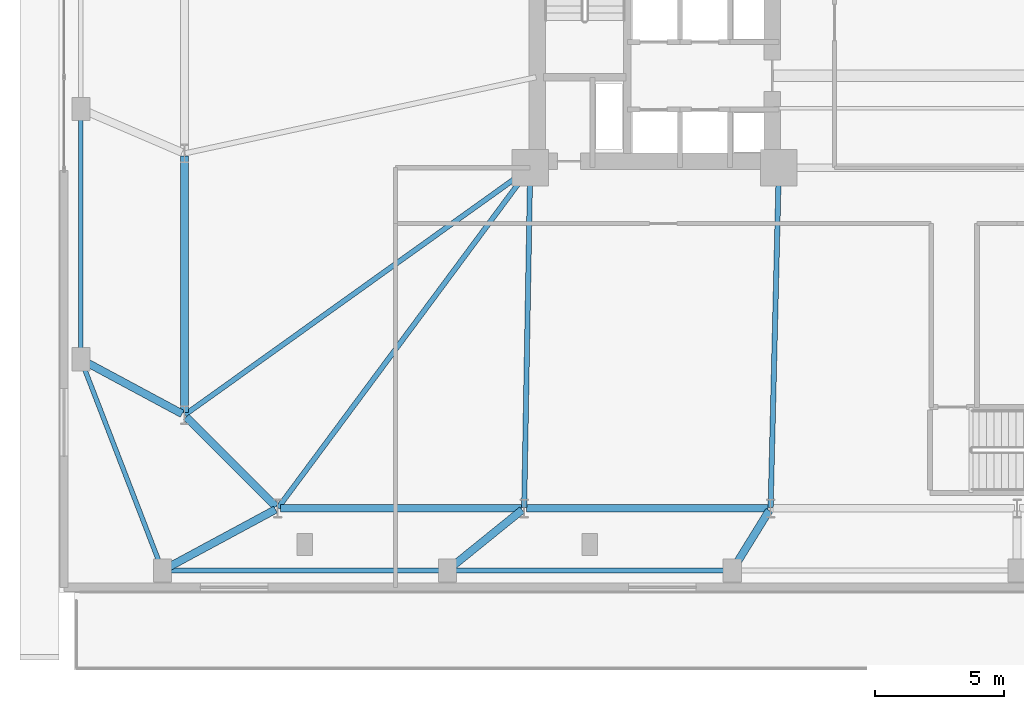
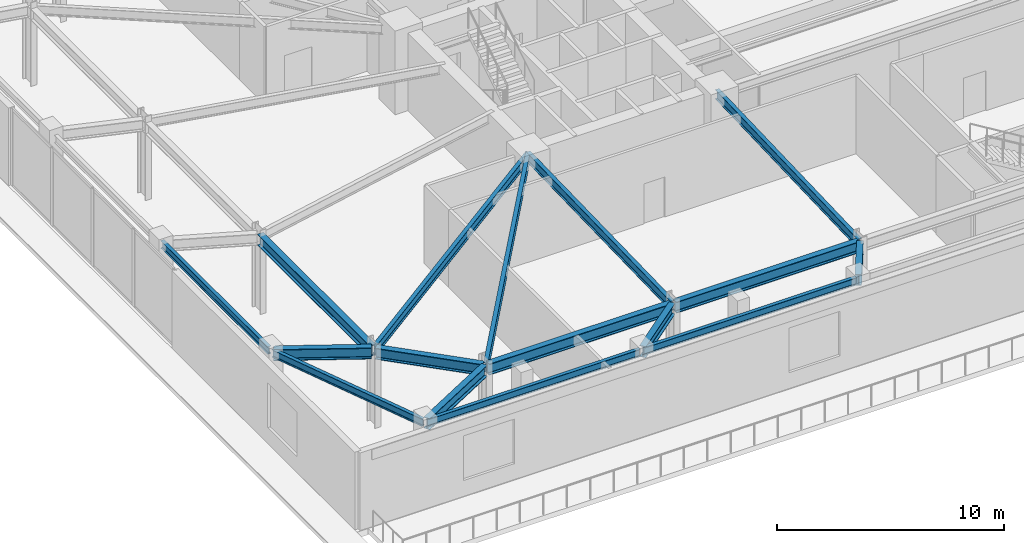
# One storey, part 4 of 21: 16 beams.
"""IFC4 building model written with IfcOpenShell, lengths in metres."""

from ifc_helpers import new_model, si_unit, direction, frame, origin, origin_2d, place, context, subcontext, project, spatial, i_section, extrude, material, material_profile, profile_set, type_object, element, save


model = new_model("IFC4")

# Units and contexts
model_context = context("Model", 3, precision=1e-05, world=origin(), true_north=direction((0.0, 1.0)))
body_context = subcontext(model_context, "Body", "Model", "MODEL_VIEW")
ifc_project = project(units=[si_unit("LENGTHUNIT", "METRE"), si_unit("AREAUNIT", "SQUARE_METRE"), si_unit("VOLUMEUNIT", "CUBIC_METRE"), si_unit("PLANEANGLEUNIT", "RADIAN"), si_unit("MASSUNIT", "GRAM", prefix="KILO")], contexts=[model_context])

# Site, building, storey
site_placement = place(None, origin())
site = spatial("IfcSite", under=ifc_project, at=site_placement, CompositionType="ELEMENT")
building_placement = place(site_placement, origin())
building = spatial("IfcBuilding", under=site, at=building_placement, Name="Qobustan Lattice House", CompositionType="ELEMENT")
storey_placement = place(building_placement, frame((0.0, 0.0, 13.5)))
storey = spatial("IfcBuildingStorey", under=building, at=storey_placement, Name="L03", CompositionType="ELEMENT", Elevation=13.5)

# Beams
ifc_material_1 = material(Name="Steel S355", Category="steel")
ifc_material_profile_1 = material_profile(ifc_material_1, i_section(OverallWidth=0.199951171875, OverallDepth=0.5, WebThickness=0.01025390625, FlangeThickness=0.01611328125, FilletRadius=0.02099609375, at=origin_2d()), Name="IPE500")
ifc_profile_set_1 = profile_set([ifc_material_profile_1], Name="Steel S355")
beam_type_1 = type_object("IfcBeamType", Name="BM-FLG-IPE500", PredefinedType="USERDEFINED", material=ifc_profile_set_1)
beam_1_placement = place(storey_placement, frame((-28.53515625, -18.72998046875, 3.919921875), z_axis=(0.5955916815, 0.803287338956, 0.0), x_axis=(-0.803287338956, 0.5955916815, 0.0)))
element("IfcBeam", 1, at=beam_1_placement, inside=storey, type_object=beam_type_1, Name="L03 primary floor girder RAD-S1W", ObjectType="GIRDER", PredefinedType="USERDEFINED", context=body_context, shape_type="SweptSolid", body=[
    extrude(i_section(OverallWidth=0.199951171875, OverallDepth=0.5, WebThickness=0.01025390625, FlangeThickness=0.01611328125, FilletRadius=0.02099609375, at=origin_2d()), origin(), (0.0, 0.0, 1.0), 16.3203125),
])
beam_2_placement = place(storey_placement, frame((-19.032958984375, -18.72509765625, 3.919921875), z_axis=(0.017757831607, 0.999842317276, 0.0), x_axis=(-0.999842317276, 0.017757831607, 0.0)))
element("IfcBeam", 2, at=beam_2_placement, inside=storey, type_object=beam_type_1, Name="L03 primary floor girder RAD-S2", ObjectType="GIRDER", PredefinedType="USERDEFINED", context=body_context, shape_type="SweptSolid", body=[
    extrude(i_section(OverallWidth=0.199951171875, OverallDepth=0.5, WebThickness=0.01025390625, FlangeThickness=0.01611328125, FilletRadius=0.02099609375, at=origin_2d()), origin(), (0.0, 0.0, 1.0), 13.10205078125),
])
beam_3_placement = place(storey_placement, frame((-9.51611328125, -18.72509765625, 3.919921875), z_axis=(0.024071445657, 0.999710240772, 0.0), x_axis=(-0.999710240772, 0.024071445657, 0.0)))
element("IfcBeam", 3, at=beam_3_placement, inside=storey, type_object=beam_type_1, Name="L03 primary floor girder RAD-S3", ObjectType="GIRDER", PredefinedType="USERDEFINED", context=body_context, shape_type="SweptSolid", body=[
    extrude(i_section(OverallWidth=0.199951171875, OverallDepth=0.5, WebThickness=0.01025390625, FlangeThickness=0.01611328125, FilletRadius=0.02099609375, at=origin_2d()), origin(), (0.0, 0.0, 1.0), 13.10400390625),
])
beam_4_placement = place(storey_placement, frame((-32.129638671875, -15.135498046875, 3.919921875), z_axis=(0.813318954893, 0.581818079481, 0.0), x_axis=(-0.581818079481, 0.813318954893, 0.0)))
element("IfcBeam", 4, at=beam_4_placement, inside=storey, type_object=beam_type_1, Name="L03 primary floor girder RAD-W4", ObjectType="GIRDER", PredefinedType="USERDEFINED", context=body_context, shape_type="SweptSolid", body=[
    extrude(i_section(OverallWidth=0.199951171875, OverallDepth=0.5, WebThickness=0.01025390625, FlangeThickness=0.01611328125, FilletRadius=0.02099609375, at=origin_2d()), origin(), (0.0, 0.0, 1.0), 16.3642578125),
])
ifc_material_2 = material(Name="Steel S355", Category="steel")
ifc_material_profile_2 = material_profile(ifc_material_2, i_section(OverallWidth=0.300048828125, OverallDepth=0.60009765625, WebThickness=0.015380859375, FlangeThickness=0.030029296875, FilletRadius=0.027099609375, at=origin_2d()), Name="HEB600")
ifc_profile_set_2 = profile_set([ifc_material_profile_2], Name="Steel S355")
beam_type_2 = type_object("IfcBeamType", Name="BM-POD-HEB600", PredefinedType="USERDEFINED", material=ifc_profile_set_2)
for number, where, z_axis, x_axis, name in (
    (5, (-28.449951171875, -18.75, 3.8701171875), (1.0, 0.0, 0.0), (0.0, 1.0, 0.0), "L03 tower base ring girder S1-S2"),
    (6, (-18.933349609375, -18.75, 3.8701171875), (1.0, 0.0, 0.0), (0.0, 1.0, 0.0), "L03 tower base ring girder S2-S3"),
):
    element("IfcBeam", number, at=place(storey_placement, frame(where, z_axis=z_axis, x_axis=x_axis)), inside=storey, type_object=beam_type_2, Name=name, ObjectType="GIRDER", PredefinedType="USERDEFINED", context=body_context, shape_type="SweptSolid", body=[
        extrude(i_section(OverallWidth=0.300048828125, OverallDepth=0.60009765625, WebThickness=0.015380859375, FlangeThickness=0.030029296875, FilletRadius=0.027099609375, at=origin_2d()), origin(), (0.0, 0.0, 1.0), 9.316650390625),
    ])
beam_5_placement = place(storey_placement, frame((-32.14990234375, -5.14990234375, 3.8701171875), z_axis=(0.0, -1.0, 0.0), x_axis=(1.0, 0.0, 0.0)))
element("IfcBeam", 7, at=beam_5_placement, inside=storey, type_object=beam_type_2, Name="L03 tower base ring girder W3-W4", ObjectType="GIRDER", PredefinedType="USERDEFINED", context=body_context, shape_type="SweptSolid", body=[
    extrude(i_section(OverallWidth=0.300048828125, OverallDepth=0.60009765625, WebThickness=0.015380859375, FlangeThickness=0.030029296875, FilletRadius=0.027099609375, at=origin_2d()), origin(), (0.0, 0.0, 1.0), 9.900146484375),
])
beam_6_placement = place(storey_placement, frame((-32.079345703125, -15.220703125, 3.8701171875), z_axis=(0.70713173775, -0.707081823743, 0.0), x_axis=(0.707081823743, 0.70713173775, 0.0)))
element("IfcBeam", 8, at=beam_6_placement, inside=storey, type_object=beam_type_2, Name="L03 tower base ring girder W4-S1", ObjectType="GIRDER", PredefinedType="USERDEFINED", context=body_context, shape_type="SweptSolid", body=[
    extrude(i_section(OverallWidth=0.300048828125, OverallDepth=0.60009765625, WebThickness=0.015380859375, FlangeThickness=0.030029296875, FilletRadius=0.027099609375, at=origin_2d()), origin(), (0.0, 0.0, 1.0), 4.89111328125),
])
beam_7_placement = place(storey_placement, frame((-32.894287109375, -21.093017578125, 3.8701171875), z_axis=(0.88016615165, 0.474665719732, 0.0), x_axis=(-0.474665719732, 0.88016615165, 0.0)))
element("IfcBeam", 9, at=beam_7_placement, inside=storey, type_object=beam_type_2, Name="L03 podium radial girder PS1", ObjectType="GIRDER", PredefinedType="USERDEFINED", context=body_context, shape_type="SweptSolid", body=[
    extrude(i_section(OverallWidth=0.300048828125, OverallDepth=0.60009765625, WebThickness=0.015380859375, FlangeThickness=0.030029296875, FilletRadius=0.027099609375, at=origin_2d()), origin(), (0.0, 0.0, 1.0), 4.8359375),
])
beam_8_placement = place(storey_placement, frame((-21.90673828125, -21.074462890625, 3.8701171875), z_axis=(0.777472502595, 0.62891693228, 0.0), x_axis=(-0.62891693228, 0.777472502595, 0.0)))
element("IfcBeam", 10, at=beam_8_placement, inside=storey, type_object=beam_type_2, Name="L03 podium radial girder PS2", ObjectType="GIRDER", PredefinedType="USERDEFINED", context=body_context, shape_type="SweptSolid", body=[
    extrude(i_section(OverallWidth=0.300048828125, OverallDepth=0.60009765625, WebThickness=0.015380859375, FlangeThickness=0.030029296875, FilletRadius=0.027099609375, at=origin_2d()), origin(), (0.0, 0.0, 1.0), 3.595703125),
])
beam_9_placement = place(storey_placement, frame((-10.93701171875, -21.0478515625, 3.8701171875), z_axis=(0.525782588011, 0.850618992349, 0.0), x_axis=(-0.850618992349, 0.525782588011, 0.0)))
element("IfcBeam", 11, at=beam_9_placement, inside=storey, type_object=beam_type_2, Name="L03 podium radial girder PS3", ObjectType="GIRDER", PredefinedType="USERDEFINED", context=body_context, shape_type="SweptSolid", body=[
    extrude(i_section(OverallWidth=0.300048828125, OverallDepth=0.60009765625, WebThickness=0.015380859375, FlangeThickness=0.030029296875, FilletRadius=0.027099609375, at=origin_2d()), origin(), (0.0, 0.0, 1.0), 2.601318359375),
])
beam_10_placement = place(storey_placement, frame((-36.044189453125, -13.056884765625, 3.8701171875), z_axis=(0.880815561441, -0.473459551307, 0.0), x_axis=(0.473459551307, 0.880815561441, 0.0)))
element("IfcBeam", 12, at=beam_10_placement, inside=storey, type_object=beam_type_2, Name="L03 podium radial girder PW1", ObjectType="GIRDER", PredefinedType="USERDEFINED", context=body_context, shape_type="SweptSolid", body=[
    extrude(i_section(OverallWidth=0.300048828125, OverallDepth=0.60009765625, WebThickness=0.015380859375, FlangeThickness=0.030029296875, FilletRadius=0.027099609375, at=origin_2d()), origin(), (0.0, 0.0, 1.0), 4.3212890625),
])
ifc_material_3 = material(Name="Steel S355", Category="steel")
ifc_material_profile_3 = material_profile(ifc_material_3, i_section(OverallWidth=0.179931640625, OverallDepth=0.39990234375, WebThickness=0.008544921875, FlangeThickness=0.013427734375, FilletRadius=0.02099609375, at=origin_2d()), Name="IPE400")
ifc_profile_set_3 = profile_set([ifc_material_profile_3], Name="Steel S355")
beam_type_3 = type_object("IfcBeamType", Name="BM-SPD-IPE400", PredefinedType="SPANDREL", material=ifc_profile_set_3)
for number, where, z_axis, x_axis, name in (
    (13, (-32.8798828125, -21.14990234375, 3.969970703125), (1.0, 0.0, 0.0), (0.0, 1.0, 0.0), "L03 podium spandrel PS1-PS2"),
    (14, (-21.8798828125, -21.14990234375, 3.969970703125), (1.0, 0.0, 0.0), (0.0, 1.0, 0.0), "L03 podium spandrel PS2-PS3"),
):
    element("IfcBeam", number, at=place(storey_placement, frame(where, z_axis=z_axis, x_axis=x_axis)), inside=storey, type_object=beam_type_3, Name=name, PredefinedType="SPANDREL", context=body_context, shape_type="SweptSolid", body=[
        extrude(i_section(OverallWidth=0.179931640625, OverallDepth=0.39990234375, WebThickness=0.008544921875, FlangeThickness=0.013427734375, FilletRadius=0.02099609375, at=origin_2d()), origin(), (0.0, 0.0, 1.0), 10.759765625),
    ])
beam_11_placement = place(storey_placement, frame((-36.14990234375, -12.8798828125, 3.969970703125), z_axis=(0.0, 1.0, 0.0), x_axis=(-1.0, 0.0, 0.0)))
element("IfcBeam", 15, at=beam_11_placement, inside=storey, type_object=beam_type_3, Name="L03 podium spandrel PW1-PW2", PredefinedType="SPANDREL", context=body_context, shape_type="SweptSolid", body=[
    extrude(i_section(OverallWidth=0.179931640625, OverallDepth=0.39990234375, WebThickness=0.008544921875, FlangeThickness=0.013427734375, FilletRadius=0.02099609375, at=origin_2d()), origin(), (0.0, 0.0, 1.0), 9.426513671875),
])
beam_12_placement = place(storey_placement, frame((-33.043212890625, -21.0380859375, 3.969970703125), z_axis=(-0.360507225068, 0.93275642087, 0.0), x_axis=(-0.93275642087, -0.360507225068, 0.0)))
element("IfcBeam", 16, at=beam_12_placement, inside=storey, type_object=beam_type_3, Name="L03 podium corner tie PS1-PW1", PredefinedType="SPANDREL", context=body_context, shape_type="SweptSolid", body=[
    extrude(i_section(OverallWidth=0.179931640625, OverallDepth=0.39990234375, WebThickness=0.008544921875, FlangeThickness=0.013427734375, FilletRadius=0.02099609375, at=origin_2d()), origin(), (0.0, 0.0, 1.0), 8.497802734375),
])

save(model, "model.ifc")
